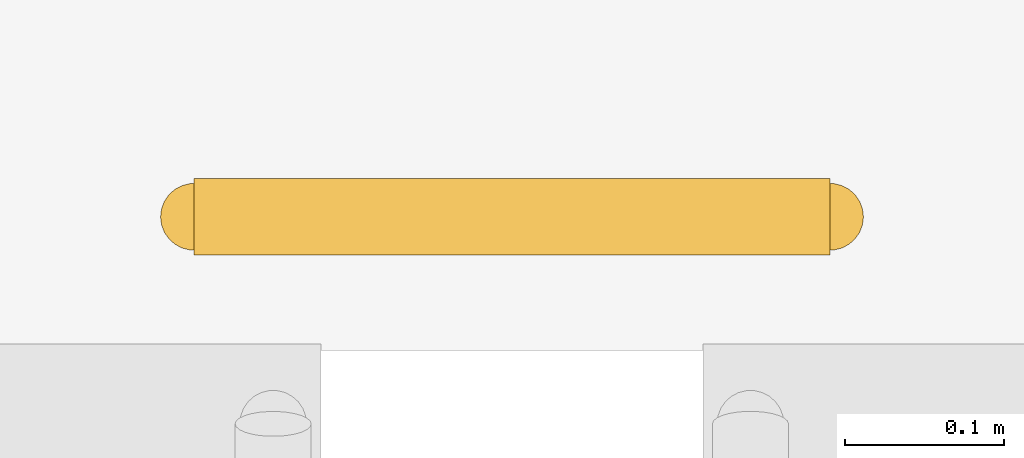
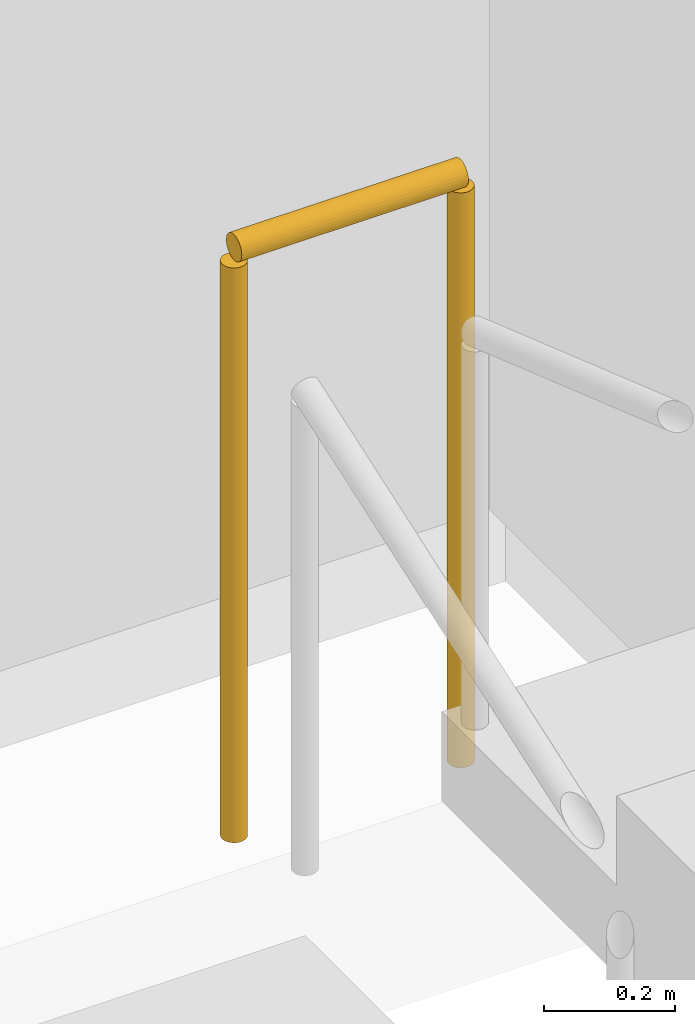
# One storey, part 29 of 30: 1 railing.
"""IFC4 building model written with IfcOpenShell, lengths in metres."""

import ifcopenshell
import ifcopenshell.guid

model = None  # the IFC model being written
_history = None  # IfcOwnerHistory: only IFC2X3 demands one
_inside = {}  # id of a spatial element -> (the spatial element, [elements in it])
_under = {}  # id of a project, library or spatial element -> (it, [spatial elements below it])
_declared = {}  # id of a project -> (the project, [libraries it declares])
_typed = {}  # id of a type object -> (the type object, [elements of that type])
_made_of = {}  # id of a material, layer set ... -> (it, [elements and type objects made of it])


def new_model(schema):
    """Start an empty IFC model of exactly this schema.

    Asked for "IFC4X3", IfcOpenShell would pick the latest addendum, in which some entities
    have other attributes; the version numbers below select the first issue.
    IFC2X3 requires an IfcOwnerHistory on every rooted entity: one is made here for all.
    """
    global model, _history
    if schema == "IFC4X3":
        model = ifcopenshell.file(schema_version=(4, 3, 0, 0))
    else:
        model = ifcopenshell.file(schema=schema)
    _inside.clear()
    _under.clear()
    _declared.clear()
    _typed.clear()
    _made_of.clear()
    _history = None
    if model.schema == "IFC2X3":
        org = make("IfcOrganization", Name="unknown")
        user = make(
            "IfcPersonAndOrganization",
            ThePerson=make("IfcPerson", FamilyName="unknown"),
            TheOrganization=org,
        )
        app = make(
            "IfcApplication",
            ApplicationDeveloper=org,
            Version="unknown",
            ApplicationFullName="unknown",
            ApplicationIdentifier="unknown",
        )
        _history = make(
            "IfcOwnerHistory",
            OwningUser=user,
            OwningApplication=app,
            ChangeAction="ADDED",
            CreationDate=0,
        )
    return model


def make(cls, **values):
    """One entity of the class cls with the attributes given. An attribute that is None is left unset."""
    return model.create_entity(
        cls, **{name: value for name, value in values.items() if value is not None}
    )


def rooted(cls, **values):
    """An entity with a GlobalId (a new one), such as an element, a storey or a relation."""
    return make(cls, GlobalId=ifcopenshell.guid.new(), OwnerHistory=_history, **values)


def si_unit(unit_type, name, prefix=None):
    """IfcSIUnit, for example si_unit("LENGTHUNIT", "METRE", prefix="MILLI")."""
    return make("IfcSIUnit", UnitType=unit_type, Prefix=prefix, Name=name)


def assignment(units):
    """IfcUnitAssignment: the units of a project."""
    return None if units is None else make("IfcUnitAssignment", Units=units)


def point(xyz):
    """IfcCartesianPoint."""
    return None if xyz is None else make("IfcCartesianPoint", Coordinates=xyz)


def direction(xyz):
    """IfcDirection."""
    return None if xyz is None else make("IfcDirection", DirectionRatios=xyz)


def frame(location, z_axis=None, x_axis=None):
    """IfcAxis2Placement3D, a coordinate frame: its origin and axes. An axis left out is left unset."""
    return make(
        "IfcAxis2Placement3D",
        Location=point(location),
        Axis=direction(z_axis),
        RefDirection=direction(x_axis),
    )


def frame_2d(location, x_axis=None):
    """IfcAxis2Placement2D, a coordinate frame in the plane: its origin and x axis."""
    return make(
        "IfcAxis2Placement2D", Location=point(location), RefDirection=direction(x_axis)
    )


def origin():
    """The frame at (0, 0, 0) with its axes left unset."""
    return frame((0.0, 0.0, 0.0))


def origin_2d():
    """The frame at (0, 0) in the plane with its x axis left unset."""
    return frame_2d((0.0, 0.0))


def place(relative_to, where):
    """IfcLocalPlacement: puts the frame where relative to a parent placement (None: the world)."""
    return make(
        "IfcLocalPlacement", PlacementRelTo=relative_to, RelativePlacement=where
    )


def context(
    kind, dimensions, precision=None, world=None, true_north=None, identifier=None
):
    """IfcGeometricRepresentationContext, for example the 3D "Model" context."""
    return make(
        "IfcGeometricRepresentationContext",
        ContextIdentifier=identifier,
        ContextType=kind,
        CoordinateSpaceDimension=dimensions,
        Precision=precision,
        WorldCoordinateSystem=world,
        TrueNorth=true_north,
    )


def subcontext(parent, identifier, kind, view, scale=None):
    """IfcGeometricRepresentationSubContext, for example "Body" below "Model"."""
    return make(
        "IfcGeometricRepresentationSubContext",
        ContextIdentifier=identifier,
        ContextType=kind,
        ParentContext=parent,
        TargetScale=scale,
        TargetView=view,
    )


def project(units=None, contexts=None):
    """IfcProject with its units and contexts."""
    return rooted(
        "IfcProject",
        Name="project",
        RepresentationContexts=contexts,
        UnitsInContext=assignment(units),
    )


def spatial(cls, under=None, at=None, **own):
    """A site, building, storey or space (cls), placed at a placement, below another one or the project."""
    s = rooted(cls, ObjectPlacement=at, **own)
    if under is not None:
        _under.setdefault(under.id(), (under, []))[1].append(s)
    return s


def profile(cls, at=None, kind="AREA", **sizes):
    """A parametric profile (cls). Its sizes go by their IFC names, for example OverallWidth=200.0."""
    return make(cls, ProfileType=kind, Position=at, **sizes)


def circle(**sizes):
    """IfcCircleProfileDef."""
    return profile("IfcCircleProfileDef", **sizes)


def extrude(swept, where, along, depth):
    """IfcExtrudedAreaSolid: the profile swept, set in the frame where, extruded along a direction by depth."""
    return make(
        "IfcExtrudedAreaSolid",
        SweptArea=swept,
        Position=where,
        ExtrudedDirection=direction(along),
        Depth=depth,
    )


def shape(context_of_items, identifier, shape_type, items):
    """IfcShapeRepresentation: the items that make up one representation, for example the "Body"."""
    return make(
        "IfcShapeRepresentation",
        ContextOfItems=context_of_items,
        RepresentationIdentifier=identifier,
        RepresentationType=shape_type,
        Items=items,
    )


def material(Name=None, Category=None):
    """IfcMaterial."""
    return make("IfcMaterial", Name=Name, Category=Category)


def layer(
    of_material, thickness, ventilated=None, Name=None, Category=None, Priority=None
):
    """IfcMaterialLayer: one layer of a wall or slab, of a material (None: an air gap)."""
    return make(
        "IfcMaterialLayer",
        Material=of_material,
        LayerThickness=thickness,
        IsVentilated=ventilated,
        Name=Name,
        Category=Category,
        Priority=Priority,
    )


def layer_set(layers, Name=None):
    """IfcMaterialLayerSet."""
    return make("IfcMaterialLayerSet", MaterialLayers=layers, LayerSetName=Name)


def made_of(thing, what):
    """Note that an element or type object is made of a material, layer set ...; save() writes the relation."""
    if what is not None:
        _made_of.setdefault(what.id(), (what, []))[1].append(thing)
    return thing


def type_object(cls, material=None, **own):
    """A type object (cls), such as IfcWallType, which elements share."""
    return made_of(rooted(cls, **own), material)


def element(
    cls,
    number,
    at=None,
    inside=None,
    cuts=None,
    type_object=None,
    material=None,
    context=None,
    identifier="Body",
    shape_type=None,
    held_by="IfcProductDefinitionShape",
    body=None,
    shapes=None,
    **own,
):
    """One element of the class cls, such as IfcWall. Its Tag is "e" and its number.

    at: its placement. inside: the storey or other place that contains it. cuts: it is an
    opening in that element (IfcRelVoidsElement). A single representation is given by context,
    identifier, shape_type and body (its items); several are given by shapes. held_by: the class
    of the entity that holds the representations. save() writes the other relations.
    """
    e = rooted(cls, Tag="e%d" % number, ObjectPlacement=at, **own)
    if body is not None:
        shapes = [shape(context, identifier, shape_type, body)]
    if shapes is not None:
        e.Representation = make(held_by, Representations=shapes)
    if inside is not None:
        _inside.setdefault(inside.id(), (inside, []))[1].append(e)
    if cuts is not None:
        rooted(
            "IfcRelVoidsElement", RelatingBuildingElement=cuts, RelatedOpeningElement=e
        )
    if type_object is not None:
        _typed.setdefault(type_object.id(), (type_object, []))[1].append(e)
    return made_of(e, material)


def aggregate(whole, parts):
    """IfcRelAggregates: a whole, such as a stair, and the parts it consists of."""
    return rooted("IfcRelAggregates", RelatingObject=whole, RelatedObjects=parts)


def save(model, path):
    """Write the relations noted so far, then the file.

    IfcRelAggregates (storeys below a building ...), IfcRelContainedInSpatialStructure (elements
    in a storey), IfcRelDefinesByType, IfcRelAssociatesMaterial and IfcRelDeclares: one each for
    every whole, place, type object, material and project.
    """
    for whole, parts in _under.values():
        aggregate(whole, parts)
    for where, things in _inside.values():
        rooted(
            "IfcRelContainedInSpatialStructure",
            RelatedElements=things,
            RelatingStructure=where,
        )
    for kind, things in _typed.values():
        rooted("IfcRelDefinesByType", RelatedObjects=things, RelatingType=kind)
    for what, things in _made_of.values():
        rooted("IfcRelAssociatesMaterial", RelatedObjects=things, RelatingMaterial=what)
    for by, libraries in _declared.values():
        rooted("IfcRelDeclares", RelatingContext=by, RelatedDefinitions=libraries)
    model.write(path)


model = new_model("IFC4")

# Units and contexts
model_context = context("Model", 3, precision=1e-05, world=origin(), true_north=direction((0.0, 1.0)))
body_context = subcontext(model_context, "Body", "Model", "MODEL_VIEW")
ifc_project = project(units=[si_unit("LENGTHUNIT", "METRE"), si_unit("AREAUNIT", "SQUARE_METRE"), si_unit("VOLUMEUNIT", "CUBIC_METRE"), si_unit("PLANEANGLEUNIT", "RADIAN"), si_unit("MASSUNIT", "GRAM", prefix="KILO")], contexts=[model_context])

# Site, building, storey
site_placement = place(None, origin())
site = spatial("IfcSite", under=ifc_project, at=site_placement, CompositionType="ELEMENT")
building_placement = place(site_placement, origin())
building = spatial("IfcBuilding", under=site, at=building_placement, Name="Girod Span Mobility Hub", CompositionType="ELEMENT")
storey_placement = place(building_placement, frame((0.0, 0.0, 49.60009765625)))
storey = spatial("IfcBuildingStorey", under=building, at=storey_placement, Name="L12", CompositionType="ELEMENT", Elevation=49.60009765625)

# Railing
ifc_material = material(Name="Painted Galvanised Steel", Category="steel")
ifc_layer = layer(ifc_material, 0.06494140625)
ifc_layer_set = layer_set([ifc_layer], Name="Painted Galvanised Steel")
railing_type = type_object("IfcRailingType", Name="RL-GRD-1120", PredefinedType="GUARDRAIL", material=ifc_layer_set)
railing_placement = place(storey_placement, frame((50.10009765625, 65.77001953125, 2.0)))
element("IfcRailing", 1, at=railing_placement, inside=storey, type_object=railing_type, Name="Stair ST-1 Half-Landing Well Guard L12", PredefinedType="GUARDRAIL", context=body_context, shape_type="SweptSolid", body=[
    extrude(circle(Radius=0.02392578125, at=origin_2d()), frame((0.0, 0.0, 1.09619140625), z_axis=(1.0, 0.0, 0.0), x_axis=(0.0, 1.0, 0.0)), (0.0, 0.0, 1.0), 0.39990234375),
    extrude(circle(Radius=0.02099609375, at=origin_2d()), origin(), (0.0, 0.0, 1.0), 1.072021484375),
    extrude(circle(Radius=0.02099609375, at=origin_2d()), frame((0.39990234375, 0.0, 0.0)), (0.0, 0.0, 1.0), 1.072021484375),
])

save(model, "model.ifc")
